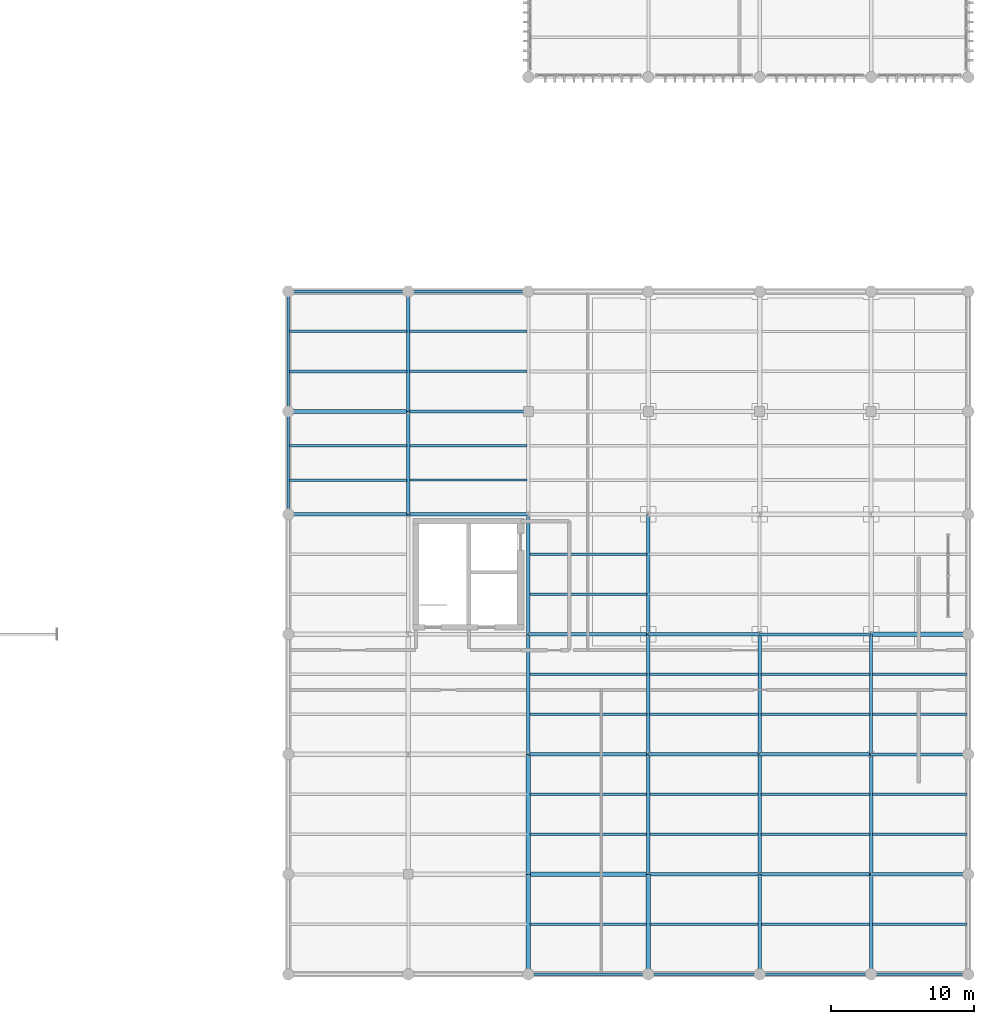
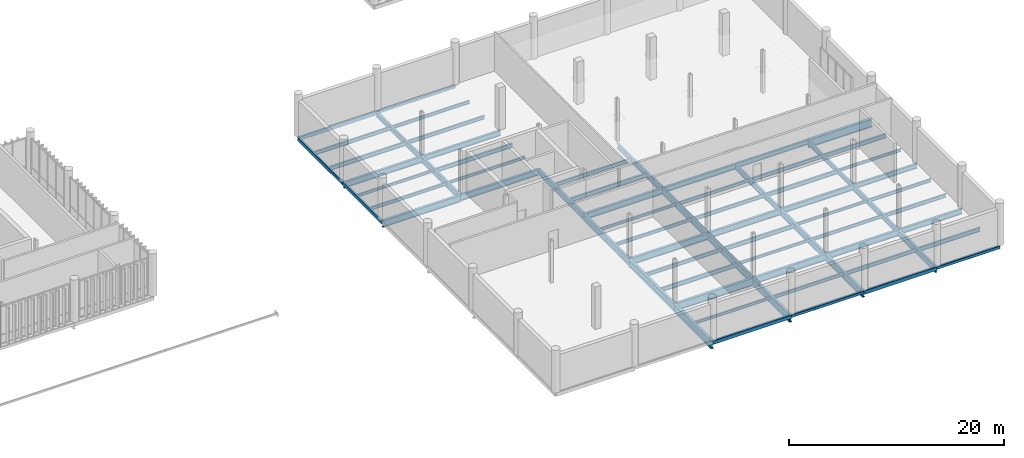
# One storey, part 45 of 94: 70 beams.
"""IFC4 building model written with IfcOpenShell, lengths in metres."""

import ifcopenshell
import ifcopenshell.guid

model = None  # the IFC model being written
_history = None  # IfcOwnerHistory: only IFC2X3 demands one
_inside = {}  # id of a spatial element -> (the spatial element, [elements in it])
_under = {}  # id of a project, library or spatial element -> (it, [spatial elements below it])
_declared = {}  # id of a project -> (the project, [libraries it declares])
_typed = {}  # id of a type object -> (the type object, [elements of that type])
_made_of = {}  # id of a material, layer set ... -> (it, [elements and type objects made of it])


def new_model(schema):
    """Start an empty IFC model of exactly this schema.

    Asked for "IFC4X3", IfcOpenShell would pick the latest addendum, in which some entities
    have other attributes; the version numbers below select the first issue.
    IFC2X3 requires an IfcOwnerHistory on every rooted entity: one is made here for all.
    """
    global model, _history
    if schema == "IFC4X3":
        model = ifcopenshell.file(schema_version=(4, 3, 0, 0))
    else:
        model = ifcopenshell.file(schema=schema)
    _inside.clear()
    _under.clear()
    _declared.clear()
    _typed.clear()
    _made_of.clear()
    _history = None
    if model.schema == "IFC2X3":
        org = make("IfcOrganization", Name="unknown")
        user = make(
            "IfcPersonAndOrganization",
            ThePerson=make("IfcPerson", FamilyName="unknown"),
            TheOrganization=org,
        )
        app = make(
            "IfcApplication",
            ApplicationDeveloper=org,
            Version="unknown",
            ApplicationFullName="unknown",
            ApplicationIdentifier="unknown",
        )
        _history = make(
            "IfcOwnerHistory",
            OwningUser=user,
            OwningApplication=app,
            ChangeAction="ADDED",
            CreationDate=0,
        )
    return model


def make(cls, **values):
    """One entity of the class cls with the attributes given. An attribute that is None is left unset."""
    return model.create_entity(
        cls, **{name: value for name, value in values.items() if value is not None}
    )


def rooted(cls, **values):
    """An entity with a GlobalId (a new one), such as an element, a storey or a relation."""
    return make(cls, GlobalId=ifcopenshell.guid.new(), OwnerHistory=_history, **values)


def si_unit(unit_type, name, prefix=None):
    """IfcSIUnit, for example si_unit("LENGTHUNIT", "METRE", prefix="MILLI")."""
    return make("IfcSIUnit", UnitType=unit_type, Prefix=prefix, Name=name)


def assignment(units):
    """IfcUnitAssignment: the units of a project."""
    return None if units is None else make("IfcUnitAssignment", Units=units)


def point(xyz):
    """IfcCartesianPoint."""
    return None if xyz is None else make("IfcCartesianPoint", Coordinates=xyz)


def direction(xyz):
    """IfcDirection."""
    return None if xyz is None else make("IfcDirection", DirectionRatios=xyz)


def frame(location, z_axis=None, x_axis=None):
    """IfcAxis2Placement3D, a coordinate frame: its origin and axes. An axis left out is left unset."""
    return make(
        "IfcAxis2Placement3D",
        Location=point(location),
        Axis=direction(z_axis),
        RefDirection=direction(x_axis),
    )


def frame_2d(location, x_axis=None):
    """IfcAxis2Placement2D, a coordinate frame in the plane: its origin and x axis."""
    return make(
        "IfcAxis2Placement2D", Location=point(location), RefDirection=direction(x_axis)
    )


def origin_with_axes():
    """The frame at (0, 0, 0) with the z axis (0, 0, 1) and the x axis (1, 0, 0) written out."""
    return frame((0.0, 0.0, 0.0), z_axis=(0.0, 0.0, 1.0), x_axis=(1.0, 0.0, 0.0))


def origin_2d_with_axis():
    """The frame at (0, 0) in the plane with the x axis (1, 0) written out."""
    return frame_2d((0.0, 0.0), x_axis=(1.0, 0.0))


def place(relative_to, where):
    """IfcLocalPlacement: puts the frame where relative to a parent placement (None: the world)."""
    return make(
        "IfcLocalPlacement", PlacementRelTo=relative_to, RelativePlacement=where
    )


def context(
    kind, dimensions, precision=None, world=None, true_north=None, identifier=None
):
    """IfcGeometricRepresentationContext, for example the 3D "Model" context."""
    return make(
        "IfcGeometricRepresentationContext",
        ContextIdentifier=identifier,
        ContextType=kind,
        CoordinateSpaceDimension=dimensions,
        Precision=precision,
        WorldCoordinateSystem=world,
        TrueNorth=true_north,
    )


def subcontext(parent, identifier, kind, view, scale=None):
    """IfcGeometricRepresentationSubContext, for example "Body" below "Model"."""
    return make(
        "IfcGeometricRepresentationSubContext",
        ContextIdentifier=identifier,
        ContextType=kind,
        ParentContext=parent,
        TargetScale=scale,
        TargetView=view,
    )


def project(units=None, contexts=None):
    """IfcProject with its units and contexts."""
    return rooted(
        "IfcProject",
        Name="project",
        RepresentationContexts=contexts,
        UnitsInContext=assignment(units),
    )


def spatial(cls, under=None, at=None, **own):
    """A site, building, storey or space (cls), placed at a placement, below another one or the project."""
    s = rooted(cls, ObjectPlacement=at, **own)
    if under is not None:
        _under.setdefault(under.id(), (under, []))[1].append(s)
    return s


def profile(cls, at=None, kind="AREA", **sizes):
    """A parametric profile (cls). Its sizes go by their IFC names, for example OverallWidth=200.0."""
    return make(cls, ProfileType=kind, Position=at, **sizes)


def hollow_rectangle(**sizes):
    """IfcRectangleHollowProfileDef."""
    return profile("IfcRectangleHollowProfileDef", **sizes)


def i_section(**sizes):
    """IfcIShapeProfileDef."""
    return profile("IfcIShapeProfileDef", **sizes)


def extrude(swept, where, along, depth):
    """IfcExtrudedAreaSolid: the profile swept, set in the frame where, extruded along a direction by depth."""
    return make(
        "IfcExtrudedAreaSolid",
        SweptArea=swept,
        Position=where,
        ExtrudedDirection=direction(along),
        Depth=depth,
    )


def shape(context_of_items, identifier, shape_type, items):
    """IfcShapeRepresentation: the items that make up one representation, for example the "Body"."""
    return make(
        "IfcShapeRepresentation",
        ContextOfItems=context_of_items,
        RepresentationIdentifier=identifier,
        RepresentationType=shape_type,
        Items=items,
    )


def material(Name=None, Category=None):
    """IfcMaterial."""
    return make("IfcMaterial", Name=Name, Category=Category)


def material_profile(
    of_material, cross_section, Name=None, Category=None, Priority=None
):
    """IfcMaterialProfile: a cross section and its material."""
    return make(
        "IfcMaterialProfile",
        Name=Name,
        Material=of_material,
        Profile=cross_section,
        Priority=Priority,
        Category=Category,
    )


def profile_set(profiles, Name=None, composite=None):
    """IfcMaterialProfileSet."""
    return make(
        "IfcMaterialProfileSet",
        Name=Name,
        MaterialProfiles=profiles,
        CompositeProfile=composite,
    )


def made_of(thing, what):
    """Note that an element or type object is made of a material, layer set ...; save() writes the relation."""
    if what is not None:
        _made_of.setdefault(what.id(), (what, []))[1].append(thing)
    return thing


def type_object(cls, material=None, **own):
    """A type object (cls), such as IfcWallType, which elements share."""
    return made_of(rooted(cls, **own), material)


def element(
    cls,
    number,
    at=None,
    inside=None,
    cuts=None,
    type_object=None,
    material=None,
    context=None,
    identifier="Body",
    shape_type=None,
    held_by="IfcProductDefinitionShape",
    body=None,
    shapes=None,
    **own,
):
    """One element of the class cls, such as IfcWall. Its Tag is "e" and its number.

    at: its placement. inside: the storey or other place that contains it. cuts: it is an
    opening in that element (IfcRelVoidsElement). A single representation is given by context,
    identifier, shape_type and body (its items); several are given by shapes. held_by: the class
    of the entity that holds the representations. save() writes the other relations.
    """
    e = rooted(cls, Tag="e%d" % number, ObjectPlacement=at, **own)
    if body is not None:
        shapes = [shape(context, identifier, shape_type, body)]
    if shapes is not None:
        e.Representation = make(held_by, Representations=shapes)
    if inside is not None:
        _inside.setdefault(inside.id(), (inside, []))[1].append(e)
    if cuts is not None:
        rooted(
            "IfcRelVoidsElement", RelatingBuildingElement=cuts, RelatedOpeningElement=e
        )
    if type_object is not None:
        _typed.setdefault(type_object.id(), (type_object, []))[1].append(e)
    return made_of(e, material)


def aggregate(whole, parts):
    """IfcRelAggregates: a whole, such as a stair, and the parts it consists of."""
    return rooted("IfcRelAggregates", RelatingObject=whole, RelatedObjects=parts)


def save(model, path):
    """Write the relations noted so far, then the file.

    IfcRelAggregates (storeys below a building ...), IfcRelContainedInSpatialStructure (elements
    in a storey), IfcRelDefinesByType, IfcRelAssociatesMaterial and IfcRelDeclares: one each for
    every whole, place, type object, material and project.
    """
    for whole, parts in _under.values():
        aggregate(whole, parts)
    for where, things in _inside.values():
        rooted(
            "IfcRelContainedInSpatialStructure",
            RelatedElements=things,
            RelatingStructure=where,
        )
    for kind, things in _typed.values():
        rooted("IfcRelDefinesByType", RelatedObjects=things, RelatingType=kind)
    for what, things in _made_of.values():
        rooted("IfcRelAssociatesMaterial", RelatedObjects=things, RelatingMaterial=what)
    for by, libraries in _declared.values():
        rooted("IfcRelDeclares", RelatingContext=by, RelatedDefinitions=libraries)
    model.write(path)


model = new_model("IFC4")

# Units and contexts
model_context = context("Model", 3, precision=1e-05, world=origin_with_axes(), true_north=direction((0.0, 1.0)))
body_context = subcontext(model_context, "Body", "Model", "MODEL_VIEW")
ifc_project = project(units=[si_unit("LENGTHUNIT", "METRE"), si_unit("AREAUNIT", "SQUARE_METRE"), si_unit("VOLUMEUNIT", "CUBIC_METRE"), si_unit("PLANEANGLEUNIT", "RADIAN"), si_unit("MASSUNIT", "GRAM", prefix="KILO"), si_unit("THERMODYNAMICTEMPERATUREUNIT", "KELVIN")], contexts=[model_context])

# Site, building, storey
site_placement = place(None, origin_with_axes())
site = spatial("IfcSite", under=ifc_project, at=site_placement, CompositionType="ELEMENT")
building_placement = place(site_placement, origin_with_axes())
building = spatial("IfcBuilding", under=site, at=building_placement, Name="Montbau Bow Law Courts", CompositionType="ELEMENT")
storey_placement = place(building_placement, frame((0.0, 0.0, 15.6), z_axis=(0.0, 0.0, 1.0), x_axis=(1.0, 0.0, 0.0)))
storey = spatial("IfcBuildingStorey", under=building, at=storey_placement, Name="L03", CompositionType="ELEMENT", Elevation=15.6)

# Beams
ifc_material_1 = material(Name="Steel CSA G40.21 Grade 350W (350 MPa)", Category="steel")
ifc_material_profile_1 = material_profile(ifc_material_1, i_section(OverallWidth=0.306, OverallDepth=0.919, WebThickness=0.0173, FlangeThickness=0.0279, at=origin_2d_with_axis()), Name="W920X253", Category="Main", Priority=0)
ifc_profile_set_1 = profile_set([ifc_material_profile_1], Name="Steel CSA G40.21 Grade 350W (350 MPa)")
beam_type_1 = type_object("IfcBeamType", Name="B-FLR-01", PredefinedType="BEAM", material=ifc_profile_set_1)
beam_1_placement = place(None, frame((162.6, 30.6, 14.9), z_axis=(1.0, 0.0, 0.0), x_axis=(0.0, 1.0, 0.0)))
element("IfcBeam", 1, at=beam_1_placement, inside=storey, type_object=beam_type_1, Name="BM-L03-S1648:bm2_1651", PredefinedType="BEAM", context=body_context, shape_type="SweptSolid", body=[
    extrude(i_section(OverallWidth=0.306, OverallDepth=0.919, WebThickness=0.0173, FlangeThickness=0.0279, at=origin_2d_with_axis()), origin_with_axes(), (0.0, 0.0, 1.0), 6.8),
])
beam_2_placement = place(None, frame((138.6, 6.8, 14.9), z_axis=(0.0, 1.0, 0.0), x_axis=(-1.0, 0.0, 0.0)))
element("IfcBeam", 2, at=beam_2_placement, inside=storey, type_object=beam_type_1, Name="BM-L03-S1679:bm2_1682", PredefinedType="BEAM", context=body_context, shape_type="SweptSolid", body=[
    extrude(i_section(OverallWidth=0.306, OverallDepth=0.919, WebThickness=0.0173, FlangeThickness=0.0279, at=origin_2d_with_axis()), origin_with_axes(), (0.0, 0.0, 1.0), 7.0),
])
ifc_material_profile_2 = material_profile(ifc_material_1, i_section(OverallWidth=0.293, OverallDepth=0.846, WebThickness=0.0154, FlangeThickness=0.0244, at=origin_2d_with_axis()), Name="W840X210", Category="Main", Priority=0)
ifc_profile_set_2 = profile_set([ifc_material_profile_2], Name="Steel CSA G40.21 Grade 350W (350 MPa)")
beam_type_2 = type_object("IfcBeamType", Name="B-FLR-02", PredefinedType="BEAM", material=ifc_profile_set_2)
for number, where, z_axis, x_axis, name in (
    (3, (138.6, 13.8, 14.937), (1.0, 0.0, 0.0), (0.0, 1.0, 0.0), "BM-L03-S1633:bm2_1636"),
    (4, (138.6, 13.8, 14.937), (0.0, 1.0, 0.0), (-1.0, 0.0, 0.0), "BM-L03-S1680:bm2_1683"),
):
    element("IfcBeam", number, at=place(None, frame(where, z_axis=z_axis, x_axis=x_axis)), inside=storey, type_object=beam_type_2, Name=name, PredefinedType="BEAM", context=body_context, shape_type="SweptSolid", body=[
        extrude(i_section(OverallWidth=0.293, OverallDepth=0.846, WebThickness=0.0154, FlangeThickness=0.0244, at=origin_2d_with_axis()), origin_with_axes(), (0.0, 0.0, 1.0), 8.4),
    ])
beam_3_placement = place(None, frame((147.0, 6.8, 14.937), z_axis=(0.0, 1.0, 0.0), x_axis=(-1.0, 0.0, 0.0)))
element("IfcBeam", 5, at=beam_3_placement, inside=storey, type_object=beam_type_2, Name="BM-L03-S1685:bm2_1688", PredefinedType="BEAM", context=body_context, shape_type="SweptSolid", body=[
    extrude(i_section(OverallWidth=0.293, OverallDepth=0.846, WebThickness=0.0154, FlangeThickness=0.0244, at=origin_2d_with_axis()), origin_with_axes(), (0.0, 0.0, 1.0), 7.0),
])
ifc_material_profile_3 = material_profile(ifc_material_1, i_section(OverallWidth=0.267, OverallDepth=0.766, WebThickness=0.0149, FlangeThickness=0.0236, at=origin_2d_with_axis()), Name="W760X185", Category="Main", Priority=0)
ifc_profile_set_3 = profile_set([ifc_material_profile_3], Name="Steel CSA G40.21 Grade 350W (350 MPa)")
beam_type_3 = type_object("IfcBeamType", Name="B-FLR-03", PredefinedType="BEAM", material=ifc_profile_set_3)
beam_4_placement = place(None, frame((147.0, 13.8, 14.977), z_axis=(1.0, 0.0, 0.0), x_axis=(0.0, 1.0, 0.0)))
element("IfcBeam", 6, at=beam_4_placement, inside=storey, type_object=beam_type_3, Name="BM-L03-S1634:bm2_1637", PredefinedType="BEAM", context=body_context, shape_type="SweptSolid", body=[
    extrude(i_section(OverallWidth=0.267, OverallDepth=0.766, WebThickness=0.0149, FlangeThickness=0.0236, at=origin_2d_with_axis()), origin_with_axes(), (0.0, 0.0, 1.0), 7.8),
])
for number, where, z_axis, x_axis, name in (
    (7, (138.6, 22.2, 14.977), (1.0, 0.0, 0.0), (0.0, 1.0, 0.0), "BM-L03-S1639:bm2_1642"),
    (8, (121.8, 39.0, 14.977), (1.0, 0.0, 0.0), (0.0, 1.0, 0.0), "BM-L03-S1649:bm2_1652"),
    (9, (138.6, 22.2, 14.977), (0.0, 1.0, 0.0), (-1.0, 0.0, 0.0), "BM-L03-S1681:bm2_1684"),
    (10, (147.0, 13.8, 14.977), (0.0, 1.0, 0.0), (-1.0, 0.0, 0.0), "BM-L03-S1686:bm2_1689"),
):
    element("IfcBeam", number, at=place(None, frame(where, z_axis=z_axis, x_axis=x_axis)), inside=storey, type_object=beam_type_3, Name=name, PredefinedType="BEAM", context=body_context, shape_type="SweptSolid", body=[
        extrude(i_section(OverallWidth=0.267, OverallDepth=0.766, WebThickness=0.0149, FlangeThickness=0.0236, at=origin_2d_with_axis()), origin_with_axes(), (0.0, 0.0, 1.0), 8.4),
    ])
beam_5_placement = place(None, frame((154.8, 6.8, 14.977), z_axis=(0.0, 1.0, 0.0), x_axis=(-1.0, 0.0, 0.0)))
element("IfcBeam", 11, at=beam_5_placement, inside=storey, type_object=beam_type_3, Name="BM-L03-S1691:bm2_1694", PredefinedType="BEAM", context=body_context, shape_type="SweptSolid", body=[
    extrude(i_section(OverallWidth=0.267, OverallDepth=0.766, WebThickness=0.0149, FlangeThickness=0.0236, at=origin_2d_with_axis()), origin_with_axes(), (0.0, 0.0, 1.0), 7.0),
])
ifc_material_profile_4 = material_profile(ifc_material_1, i_section(OverallWidth=0.254, OverallDepth=0.688, WebThickness=0.0131, FlangeThickness=0.0211, at=origin_2d_with_axis()), Name="W690X152", Category="Main", Priority=0)
ifc_profile_set_4 = profile_set([ifc_material_profile_4], Name="Steel CSA G40.21 Grade 350W (350 MPa)")
beam_type_4 = type_object("IfcBeamType", Name="B-FLR-04", PredefinedType="BEAM", material=ifc_profile_set_4)
for number, where, z_axis, x_axis, name in (
    (12, (154.8, 13.8, 15.016), (1.0, 0.0, 0.0), (0.0, 1.0, 0.0), "BM-L03-S1635:bm2_1638"),
    (13, (147.0, 22.2, 15.016), (1.0, 0.0, 0.0), (0.0, 1.0, 0.0), "BM-L03-S1640:bm2_1643"),
):
    element("IfcBeam", number, at=place(None, frame(where, z_axis=z_axis, x_axis=x_axis)), inside=storey, type_object=beam_type_4, Name=name, PredefinedType="BEAM", context=body_context, shape_type="SweptSolid", body=[
        extrude(i_section(OverallWidth=0.254, OverallDepth=0.688, WebThickness=0.0131, FlangeThickness=0.0211, at=origin_2d_with_axis()), origin_with_axes(), (0.0, 0.0, 1.0), 7.8),
    ])
for number, where, z_axis, x_axis, name in (
    (14, (138.6, 30.6, 15.016), (1.0, 0.0, 0.0), (0.0, 1.0, 0.0), "BM-L03-S1645:bm2_1648"),
    (15, (130.2, 39.0, 15.016), (1.0, 0.0, 0.0), (0.0, 1.0, 0.0), "BM-L03-S1650:bm2_1653"),
    (16, (121.8, 46.2, 15.016), (1.0, 0.0, 0.0), (0.0, 1.0, 0.0), "BM-L03-S1655:bm2_1658"),
):
    element("IfcBeam", number, at=place(None, frame(where, z_axis=z_axis, x_axis=x_axis)), inside=storey, type_object=beam_type_4, Name=name, PredefinedType="BEAM", context=body_context, shape_type="SweptSolid", body=[
        extrude(i_section(OverallWidth=0.254, OverallDepth=0.688, WebThickness=0.0131, FlangeThickness=0.0211, at=origin_2d_with_axis()), origin_with_axes(), (0.0, 0.0, 1.0), 8.4),
    ])
beam_6_placement = place(None, frame((130.2, 39.0, 15.016), z_axis=(0.0, 1.0, 0.0), x_axis=(-1.0, 0.0, 0.0)))
element("IfcBeam", 17, at=beam_6_placement, inside=storey, type_object=beam_type_4, Name="BM-L03-S1677:bm2_1680", PredefinedType="BEAM", context=body_context, shape_type="SweptSolid", body=[
    extrude(i_section(OverallWidth=0.254, OverallDepth=0.688, WebThickness=0.0131, FlangeThickness=0.0211, at=origin_2d_with_axis()), origin_with_axes(), (0.0, 0.0, 1.0), 7.2),
])
for number, where, z_axis, x_axis, name in (
    (18, (138.6, 30.6, 15.016), (0.0, 1.0, 0.0), (-1.0, 0.0, 0.0), "BM-L03-S1682:bm2_1685"),
    (19, (147.0, 22.2, 15.016), (0.0, 1.0, 0.0), (-1.0, 0.0, 0.0), "BM-L03-S1687:bm2_1690"),
    (20, (154.8, 13.8, 15.016), (0.0, 1.0, 0.0), (-1.0, 0.0, 0.0), "BM-L03-S1692:bm2_1695"),
):
    element("IfcBeam", number, at=place(None, frame(where, z_axis=z_axis, x_axis=x_axis)), inside=storey, type_object=beam_type_4, Name=name, PredefinedType="BEAM", context=body_context, shape_type="SweptSolid", body=[
        extrude(i_section(OverallWidth=0.254, OverallDepth=0.688, WebThickness=0.0131, FlangeThickness=0.0211, at=origin_2d_with_axis()), origin_with_axes(), (0.0, 0.0, 1.0), 8.4),
    ])
beam_7_placement = place(None, frame((162.6, 6.8, 15.016), z_axis=(0.0, 1.0, 0.0), x_axis=(-1.0, 0.0, 0.0)))
element("IfcBeam", 21, at=beam_7_placement, inside=storey, type_object=beam_type_4, Name="BM-L03-S1697:bm2_1700", PredefinedType="BEAM", context=body_context, shape_type="SweptSolid", body=[
    extrude(i_section(OverallWidth=0.254, OverallDepth=0.688, WebThickness=0.0131, FlangeThickness=0.0211, at=origin_2d_with_axis()), origin_with_axes(), (0.0, 0.0, 1.0), 7.0),
])
ifc_material_profile_5 = material_profile(ifc_material_1, i_section(OverallWidth=0.229, OverallDepth=0.612, WebThickness=0.0119, FlangeThickness=0.0196, at=origin_2d_with_axis()), Name="W610X125", Category="Main", Priority=0)
ifc_profile_set_5 = profile_set([ifc_material_profile_5], Name="Steel CSA G40.21 Grade 350W (350 MPa)")
beam_type_5 = type_object("IfcBeamType", Name="B-FLR-05", PredefinedType="BEAM", material=ifc_profile_set_5)
beam_8_placement = place(None, frame((162.6, 13.8, 15.054), z_axis=(1.0, 0.0, 0.0), x_axis=(0.0, 1.0, 0.0)))
element("IfcBeam", 22, at=beam_8_placement, inside=storey, type_object=beam_type_5, Name="BM-L03-S1636:bm2_1639", PredefinedType="BEAM", context=body_context, shape_type="SweptSolid", body=[
    extrude(i_section(OverallWidth=0.229, OverallDepth=0.612, WebThickness=0.0119, FlangeThickness=0.0196, at=origin_2d_with_axis()), origin_with_axes(), (0.0, 0.0, 1.0), 6.8),
])
for number, where, z_axis, x_axis, name in (
    (23, (154.8, 22.2, 15.054), (1.0, 0.0, 0.0), (0.0, 1.0, 0.0), "BM-L03-S1641:bm2_1644"),
    (24, (147.0, 30.6, 15.054), (1.0, 0.0, 0.0), (0.0, 1.0, 0.0), "BM-L03-S1646:bm2_1649"),
):
    element("IfcBeam", number, at=place(None, frame(where, z_axis=z_axis, x_axis=x_axis)), inside=storey, type_object=beam_type_5, Name=name, PredefinedType="BEAM", context=body_context, shape_type="SweptSolid", body=[
        extrude(i_section(OverallWidth=0.229, OverallDepth=0.612, WebThickness=0.0119, FlangeThickness=0.0196, at=origin_2d_with_axis()), origin_with_axes(), (0.0, 0.0, 1.0), 7.8),
    ])
for number, where, z_axis, x_axis, name in (
    (25, (130.2, 46.2, 15.054), (1.0, 0.0, 0.0), (0.0, 1.0, 0.0), "BM-L03-S1656:bm2_1659"),
    (26, (130.2, 46.2, 15.054), (0.0, 1.0, 0.0), (-1.0, 0.0, 0.0), "BM-L03-S1678:bm2_1681"),
    (27, (147.0, 30.6, 15.054), (0.0, 1.0, 0.0), (-1.0, 0.0, 0.0), "BM-L03-S1688:bm2_1691"),
    (28, (154.8, 22.2, 15.054), (0.0, 1.0, 0.0), (-1.0, 0.0, 0.0), "BM-L03-S1693:bm2_1696"),
    (29, (162.6, 13.8, 15.054), (0.0, 1.0, 0.0), (-1.0, 0.0, 0.0), "BM-L03-S1698:bm2_1701"),
):
    element("IfcBeam", number, at=place(None, frame(where, z_axis=z_axis, x_axis=x_axis)), inside=storey, type_object=beam_type_5, Name=name, PredefinedType="BEAM", context=body_context, shape_type="SweptSolid", body=[
        extrude(i_section(OverallWidth=0.229, OverallDepth=0.612, WebThickness=0.0119, FlangeThickness=0.0196, at=origin_2d_with_axis()), origin_with_axes(), (0.0, 0.0, 1.0), 8.4),
    ])
ifc_material_profile_6 = material_profile(ifc_material_1, i_section(OverallWidth=0.21, OverallDepth=0.537, WebThickness=0.0109, FlangeThickness=0.0174, at=origin_2d_with_axis()), Name="W530X101", Category="Main", Priority=0)
ifc_profile_set_6 = profile_set([ifc_material_profile_6], Name="Steel CSA G40.21 Grade 350W (350 MPa)")
beam_type_6 = type_object("IfcBeamType", Name="B-FLR-06", PredefinedType="BEAM", material=ifc_profile_set_6)
beam_9_placement = place(None, frame((162.6, 22.2, 15.091), z_axis=(1.0, 0.0, 0.0), x_axis=(0.0, 1.0, 0.0)))
element("IfcBeam", 30, at=beam_9_placement, inside=storey, type_object=beam_type_6, Name="BM-L03-S1642:bm2_1645", PredefinedType="BEAM", context=body_context, shape_type="SweptSolid", body=[
    extrude(i_section(OverallWidth=0.21, OverallDepth=0.537, WebThickness=0.0109, FlangeThickness=0.0174, at=origin_2d_with_axis()), origin_with_axes(), (0.0, 0.0, 1.0), 6.8),
])
beam_10_placement = place(None, frame((154.8, 30.6, 15.091), z_axis=(1.0, 0.0, 0.0), x_axis=(0.0, 1.0, 0.0)))
element("IfcBeam", 31, at=beam_10_placement, inside=storey, type_object=beam_type_6, Name="BM-L03-S1647:bm2_1650", PredefinedType="BEAM", context=body_context, shape_type="SweptSolid", body=[
    extrude(i_section(OverallWidth=0.21, OverallDepth=0.537, WebThickness=0.0109, FlangeThickness=0.0174, at=origin_2d_with_axis()), origin_with_axes(), (0.0, 0.0, 1.0), 7.8),
])
beam_11_placement = place(None, frame((162.6, 22.2, 15.091), z_axis=(0.0, 1.0, 0.0), x_axis=(-1.0, 0.0, 0.0)))
element("IfcBeam", 32, at=beam_11_placement, inside=storey, type_object=beam_type_6, Name="BM-L03-S1699:bm2_1702", PredefinedType="BEAM", context=body_context, shape_type="SweptSolid", body=[
    extrude(i_section(OverallWidth=0.21, OverallDepth=0.537, WebThickness=0.0109, FlangeThickness=0.0174, at=origin_2d_with_axis()), origin_with_axes(), (0.0, 0.0, 1.0), 8.4),
])
ifc_material_profile_7 = material_profile(ifc_material_1, i_section(OverallWidth=0.191, OverallDepth=0.46, WebThickness=0.0099, FlangeThickness=0.016, at=origin_2d_with_axis()), Name="W460X82", Category="Main", Priority=0)
ifc_profile_set_7 = profile_set([ifc_material_profile_7], Name="Steel CSA G40.21 Grade 350W (350 MPa)")
beam_type_7 = type_object("IfcBeamType", Name="B-JST-01", PredefinedType="JOIST", material=ifc_profile_set_7)
beam_12_placement = place(None, frame((121.88, 49.0, 15.13), z_axis=(1.0, 0.0, 0.0), x_axis=(0.0, 1.0, 0.0)))
element("IfcBeam", 33, at=beam_12_placement, inside=storey, type_object=beam_type_7, Name="JST-L03-S0956:jst2_0956", PredefinedType="JOIST", context=body_context, shape_type="SweptSolid", body=[
    extrude(i_section(OverallWidth=0.191, OverallDepth=0.46, WebThickness=0.0099, FlangeThickness=0.016, at=origin_2d_with_axis()), origin_with_axes(), (0.0, 0.0, 1.0), 8.229),
])
beam_13_placement = place(None, frame((130.303, 43.8, 15.13), z_axis=(1.0, 0.0, 0.0), x_axis=(0.0, 1.0, 0.0)))
element("IfcBeam", 34, at=beam_13_placement, inside=storey, type_object=beam_type_7, Name="JST-L03-S0964:jst2_0964", PredefinedType="JOIST", context=body_context, shape_type="SweptSolid", body=[
    extrude(i_section(OverallWidth=0.191, OverallDepth=0.46, WebThickness=0.0099, FlangeThickness=0.016, at=origin_2d_with_axis()), origin_with_axes(), (0.0, 0.0, 1.0), 8.207),
])
beam_14_placement = place(None, frame((138.722, 16.6, 15.13), z_axis=(1.0, 0.0, 0.0), x_axis=(0.0, 1.0, 0.0)))
element("IfcBeam", 35, at=beam_14_placement, inside=storey, type_object=beam_type_7, Name="JST-L03-S0968:jst2_0968", PredefinedType="JOIST", context=body_context, shape_type="SweptSolid", body=[
    extrude(i_section(OverallWidth=0.191, OverallDepth=0.46, WebThickness=0.0099, FlangeThickness=0.016, at=origin_2d_with_axis()), origin_with_axes(), (0.0, 0.0, 1.0), 8.169),
])
beam_15_placement = place(None, frame((138.703, 33.4, 15.13), z_axis=(1.0, 0.0, 0.0), x_axis=(0.0, 1.0, 0.0)))
element("IfcBeam", 36, at=beam_15_placement, inside=storey, type_object=beam_type_7, Name="JST-L03-S0972:jst2_0972", PredefinedType="JOIST", context=body_context, shape_type="SweptSolid", body=[
    extrude(i_section(OverallWidth=0.191, OverallDepth=0.46, WebThickness=0.0099, FlangeThickness=0.016, at=origin_2d_with_axis()), origin_with_axes(), (0.0, 0.0, 1.0), 8.207),
])
beam_16_placement = place(None, frame((147.109, 19.4, 15.13), z_axis=(1.0, 0.0, 0.0), x_axis=(0.0, 1.0, 0.0)))
element("IfcBeam", 37, at=beam_16_placement, inside=storey, type_object=beam_type_7, Name="JST-L03-S0980:jst2_0980", PredefinedType="JOIST", context=body_context, shape_type="SweptSolid", body=[
    extrude(i_section(OverallWidth=0.191, OverallDepth=0.46, WebThickness=0.0099, FlangeThickness=0.016, at=origin_2d_with_axis()), origin_with_axes(), (0.0, 0.0, 1.0), 7.588),
])
beam_17_placement = place(None, frame((154.891, 25.0, 15.13), z_axis=(1.0, 0.0, 0.0), x_axis=(0.0, 1.0, 0.0)))
element("IfcBeam", 38, at=beam_17_placement, inside=storey, type_object=beam_type_7, Name="JST-L03-S0992:jst2_0992", PredefinedType="JOIST", context=body_context, shape_type="SweptSolid", body=[
    extrude(i_section(OverallWidth=0.191, OverallDepth=0.46, WebThickness=0.0099, FlangeThickness=0.016, at=origin_2d_with_axis()), origin_with_axes(), (0.0, 0.0, 1.0), 7.628),
])
beam_18_placement = place(None, frame((162.703, 10.3, 15.13), z_axis=(1.0, 0.0, 0.0), x_axis=(0.0, 1.0, 0.0)))
element("IfcBeam", 39, at=beam_18_placement, inside=storey, type_object=beam_type_7, Name="JST-L03-S1000:jst2_1000", PredefinedType="JOIST", context=body_context, shape_type="SweptSolid", body=[
    extrude(i_section(OverallWidth=0.191, OverallDepth=0.46, WebThickness=0.0099, FlangeThickness=0.016, at=origin_2d_with_axis()), origin_with_axes(), (0.0, 0.0, 1.0), 6.617),
])
beam_19_placement = place(None, frame((162.681, 27.8, 15.13), z_axis=(1.0, 0.0, 0.0), x_axis=(0.0, 1.0, 0.0)))
element("IfcBeam", 40, at=beam_19_placement, inside=storey, type_object=beam_type_7, Name="JST-L03-S1004:jst2_1004", PredefinedType="JOIST", context=body_context, shape_type="SweptSolid", body=[
    extrude(i_section(OverallWidth=0.191, OverallDepth=0.46, WebThickness=0.0099, FlangeThickness=0.016, at=origin_2d_with_axis()), origin_with_axes(), (0.0, 0.0, 1.0), 6.639),
])
ifc_material_profile_8 = material_profile(ifc_material_1, i_section(OverallWidth=0.179, OverallDepth=0.41, WebThickness=0.0088, FlangeThickness=0.0144, at=origin_2d_with_axis()), Name="W410X67", Category="Main", Priority=0)
ifc_profile_set_8 = profile_set([ifc_material_profile_8], Name="Steel CSA G40.21 Grade 350W (350 MPa)")
beam_type_8 = type_object("IfcBeamType", Name="B-JST-02", PredefinedType="JOIST", material=ifc_profile_set_8)
for number, where, z_axis, x_axis, name in (
    (41, (121.88, 51.8, 15.155), (1.0, 0.0, 0.0), (0.0, 1.0, 0.0), "JST-L03-S0957:jst2_0957"),
    (42, (130.29, 49.0, 15.155), (1.0, 0.0, 0.0), (0.0, 1.0, 0.0), "JST-L03-S0965:jst2_0965"),
):
    element("IfcBeam", number, at=place(None, frame(where, z_axis=z_axis, x_axis=x_axis)), inside=storey, type_object=beam_type_8, Name=name, PredefinedType="JOIST", context=body_context, shape_type="SweptSolid", body=[
        extrude(i_section(OverallWidth=0.179, OverallDepth=0.41, WebThickness=0.0088, FlangeThickness=0.0144, at=origin_2d_with_axis()), origin_with_axes(), (0.0, 0.0, 1.0), 8.229),
    ])
beam_20_placement = place(None, frame((138.722, 19.4, 15.155), z_axis=(1.0, 0.0, 0.0), x_axis=(0.0, 1.0, 0.0)))
element("IfcBeam", 43, at=beam_20_placement, inside=storey, type_object=beam_type_8, Name="JST-L03-S0969:jst2_0969", PredefinedType="JOIST", context=body_context, shape_type="SweptSolid", body=[
    extrude(i_section(OverallWidth=0.179, OverallDepth=0.41, WebThickness=0.0088, FlangeThickness=0.0144, at=origin_2d_with_axis()), origin_with_axes(), (0.0, 0.0, 1.0), 8.169),
])
beam_21_placement = place(None, frame((138.703, 36.2, 15.155), z_axis=(1.0, 0.0, 0.0), x_axis=(0.0, 1.0, 0.0)))
element("IfcBeam", 44, at=beam_21_placement, inside=storey, type_object=beam_type_8, Name="JST-L03-S0973:jst2_0973", PredefinedType="JOIST", context=body_context, shape_type="SweptSolid", body=[
    extrude(i_section(OverallWidth=0.179, OverallDepth=0.41, WebThickness=0.0088, FlangeThickness=0.0144, at=origin_2d_with_axis()), origin_with_axes(), (0.0, 0.0, 1.0), 8.207),
])
beam_22_placement = place(None, frame((147.103, 25.0, 15.155), z_axis=(1.0, 0.0, 0.0), x_axis=(0.0, 1.0, 0.0)))
element("IfcBeam", 45, at=beam_22_placement, inside=storey, type_object=beam_type_8, Name="JST-L03-S0981:jst2_0981", PredefinedType="JOIST", context=body_context, shape_type="SweptSolid", body=[
    extrude(i_section(OverallWidth=0.179, OverallDepth=0.41, WebThickness=0.0088, FlangeThickness=0.0144, at=origin_2d_with_axis()), origin_with_axes(), (0.0, 0.0, 1.0), 7.607),
])
beam_23_placement = place(None, frame((154.91, 10.3, 15.155), z_axis=(1.0, 0.0, 0.0), x_axis=(0.0, 1.0, 0.0)))
element("IfcBeam", 46, at=beam_23_placement, inside=storey, type_object=beam_type_8, Name="JST-L03-S0989:jst2_0989", PredefinedType="JOIST", context=body_context, shape_type="SweptSolid", body=[
    extrude(i_section(OverallWidth=0.179, OverallDepth=0.41, WebThickness=0.0088, FlangeThickness=0.0144, at=origin_2d_with_axis()), origin_with_axes(), (0.0, 0.0, 1.0), 7.587),
])
beam_24_placement = place(None, frame((154.891, 27.8, 15.155), z_axis=(1.0, 0.0, 0.0), x_axis=(0.0, 1.0, 0.0)))
element("IfcBeam", 47, at=beam_24_placement, inside=storey, type_object=beam_type_8, Name="JST-L03-S0993:jst2_0993", PredefinedType="JOIST", context=body_context, shape_type="SweptSolid", body=[
    extrude(i_section(OverallWidth=0.179, OverallDepth=0.41, WebThickness=0.0088, FlangeThickness=0.0144, at=origin_2d_with_axis()), origin_with_axes(), (0.0, 0.0, 1.0), 7.628),
])
beam_25_placement = place(None, frame((162.69, 16.6, 15.155), z_axis=(1.0, 0.0, 0.0), x_axis=(0.0, 1.0, 0.0)))
element("IfcBeam", 48, at=beam_25_placement, inside=storey, type_object=beam_type_8, Name="JST-L03-S1001:jst2_1001", PredefinedType="JOIST", context=body_context, shape_type="SweptSolid", body=[
    extrude(i_section(OverallWidth=0.179, OverallDepth=0.41, WebThickness=0.0088, FlangeThickness=0.0144, at=origin_2d_with_axis()), origin_with_axes(), (0.0, 0.0, 1.0), 6.63),
])
ifc_material_profile_9 = material_profile(ifc_material_1, i_section(OverallWidth=0.172, OverallDepth=0.358, WebThickness=0.0079, FlangeThickness=0.0131, at=origin_2d_with_axis()), Name="W360X57", Category="Main", Priority=0)
ifc_profile_set_9 = profile_set([ifc_material_profile_9], Name="Steel CSA G40.21 Grade 350W (350 MPa)")
beam_type_9 = type_object("IfcBeamType", Name="B-JST-03", PredefinedType="JOIST", material=ifc_profile_set_9)
beam_26_placement = place(None, frame((121.88, 41.4, 15.181), z_axis=(1.0, 0.0, 0.0), x_axis=(0.0, 1.0, 0.0)))
element("IfcBeam", 49, at=beam_26_placement, inside=storey, type_object=beam_type_9, Name="JST-L03-S0954:jst2_0954", PredefinedType="JOIST", context=body_context, shape_type="SweptSolid", body=[
    extrude(i_section(OverallWidth=0.172, OverallDepth=0.358, WebThickness=0.0079, FlangeThickness=0.0131, at=origin_2d_with_axis()), origin_with_axes(), (0.0, 0.0, 1.0), 8.217),
])
beam_27_placement = place(None, frame((130.29, 51.8, 15.181), z_axis=(1.0, 0.0, 0.0), x_axis=(0.0, 1.0, 0.0)))
element("IfcBeam", 50, at=beam_27_placement, inside=storey, type_object=beam_type_9, Name="JST-L03-S0966:jst2_0966", PredefinedType="JOIST", context=body_context, shape_type="SweptSolid", body=[
    extrude(i_section(OverallWidth=0.172, OverallDepth=0.358, WebThickness=0.0079, FlangeThickness=0.0131, at=origin_2d_with_axis()), origin_with_axes(), (0.0, 0.0, 1.0), 8.229),
])
beam_28_placement = place(None, frame((138.709, 25.0, 15.181), z_axis=(1.0, 0.0, 0.0), x_axis=(0.0, 1.0, 0.0)))
element("IfcBeam", 51, at=beam_28_placement, inside=storey, type_object=beam_type_9, Name="JST-L03-S0970:jst2_0970", PredefinedType="JOIST", context=body_context, shape_type="SweptSolid", body=[
    extrude(i_section(OverallWidth=0.172, OverallDepth=0.358, WebThickness=0.0079, FlangeThickness=0.0131, at=origin_2d_with_axis()), origin_with_axes(), (0.0, 0.0, 1.0), 8.188),
])
beam_29_placement = place(None, frame((147.123, 10.3, 15.181), z_axis=(1.0, 0.0, 0.0), x_axis=(0.0, 1.0, 0.0)))
element("IfcBeam", 52, at=beam_29_placement, inside=storey, type_object=beam_type_9, Name="JST-L03-S0978:jst2_0978", PredefinedType="JOIST", context=body_context, shape_type="SweptSolid", body=[
    extrude(i_section(OverallWidth=0.172, OverallDepth=0.358, WebThickness=0.0079, FlangeThickness=0.0131, at=origin_2d_with_axis()), origin_with_axes(), (0.0, 0.0, 1.0), 7.568),
])
for number, where, z_axis, x_axis, name in (
    (53, (147.103, 27.8, 15.181), (1.0, 0.0, 0.0), (0.0, 1.0, 0.0), "JST-L03-S0982:jst2_0982"),
    (54, (154.903, 16.6, 15.181), (1.0, 0.0, 0.0), (0.0, 1.0, 0.0), "JST-L03-S0990:jst2_0990"),
):
    element("IfcBeam", number, at=place(None, frame(where, z_axis=z_axis, x_axis=x_axis)), inside=storey, type_object=beam_type_9, Name=name, PredefinedType="JOIST", context=body_context, shape_type="SweptSolid", body=[
        extrude(i_section(OverallWidth=0.172, OverallDepth=0.358, WebThickness=0.0079, FlangeThickness=0.0131, at=origin_2d_with_axis()), origin_with_axes(), (0.0, 0.0, 1.0), 7.607),
    ])
beam_30_placement = place(None, frame((162.69, 19.4, 15.181), z_axis=(1.0, 0.0, 0.0), x_axis=(0.0, 1.0, 0.0)))
element("IfcBeam", 55, at=beam_30_placement, inside=storey, type_object=beam_type_9, Name="JST-L03-S1002:jst2_1002", PredefinedType="JOIST", context=body_context, shape_type="SweptSolid", body=[
    extrude(i_section(OverallWidth=0.172, OverallDepth=0.358, WebThickness=0.0079, FlangeThickness=0.0131, at=origin_2d_with_axis()), origin_with_axes(), (0.0, 0.0, 1.0), 6.63),
])
ifc_material_profile_10 = material_profile(ifc_material_1, i_section(OverallWidth=0.166, OverallDepth=0.313, WebThickness=0.0066, FlangeThickness=0.0112, at=origin_2d_with_axis()), Name="W310X45", Category="Main", Priority=0)
ifc_profile_set_10 = profile_set([ifc_material_profile_10], Name="Steel CSA G40.21 Grade 350W (350 MPa)")
beam_type_10 = type_object("IfcBeamType", Name="B-JST-04", PredefinedType="JOIST", material=ifc_profile_set_10)
beam_31_placement = place(None, frame((121.88, 43.8, 15.204), z_axis=(1.0, 0.0, 0.0), x_axis=(0.0, 1.0, 0.0)))
element("IfcBeam", 56, at=beam_31_placement, inside=storey, type_object=beam_type_10, Name="JST-L03-S0955:jst2_0955", PredefinedType="JOIST", context=body_context, shape_type="SweptSolid", body=[
    extrude(i_section(OverallWidth=0.166, OverallDepth=0.313, WebThickness=0.0066, FlangeThickness=0.0112, at=origin_2d_with_axis()), origin_with_axes(), (0.0, 0.0, 1.0), 8.217),
])
beam_32_placement = place(None, frame((130.303, 41.4, 15.204), z_axis=(1.0, 0.0, 0.0), x_axis=(0.0, 1.0, 0.0)))
element("IfcBeam", 57, at=beam_32_placement, inside=storey, type_object=beam_type_10, Name="JST-L03-S0963:jst2_0963", PredefinedType="JOIST", context=body_context, shape_type="SweptSolid", body=[
    extrude(i_section(OverallWidth=0.166, OverallDepth=0.313, WebThickness=0.0066, FlangeThickness=0.0112, at=origin_2d_with_axis()), origin_with_axes(), (0.0, 0.0, 1.0), 8.207),
])
beam_33_placement = place(None, frame((138.729, 10.3, 15.204), z_axis=(1.0, 0.0, 0.0), x_axis=(0.0, 1.0, 0.0)))
element("IfcBeam", 58, at=beam_33_placement, inside=storey, type_object=beam_type_10, Name="JST-L03-S0967:jst2_0967", PredefinedType="JOIST", context=body_context, shape_type="SweptSolid", body=[
    extrude(i_section(OverallWidth=0.166, OverallDepth=0.313, WebThickness=0.0066, FlangeThickness=0.0112, at=origin_2d_with_axis()), origin_with_axes(), (0.0, 0.0, 1.0), 8.148),
])
beam_34_placement = place(None, frame((138.709, 27.8, 15.204), z_axis=(1.0, 0.0, 0.0), x_axis=(0.0, 1.0, 0.0)))
element("IfcBeam", 59, at=beam_34_placement, inside=storey, type_object=beam_type_10, Name="JST-L03-S0971:jst2_0971", PredefinedType="JOIST", context=body_context, shape_type="SweptSolid", body=[
    extrude(i_section(OverallWidth=0.166, OverallDepth=0.313, WebThickness=0.0066, FlangeThickness=0.0112, at=origin_2d_with_axis()), origin_with_axes(), (0.0, 0.0, 1.0), 8.188),
])
beam_35_placement = place(None, frame((147.109, 16.6, 15.204), z_axis=(1.0, 0.0, 0.0), x_axis=(0.0, 1.0, 0.0)))
element("IfcBeam", 60, at=beam_35_placement, inside=storey, type_object=beam_type_10, Name="JST-L03-S0979:jst2_0979", PredefinedType="JOIST", context=body_context, shape_type="SweptSolid", body=[
    extrude(i_section(OverallWidth=0.166, OverallDepth=0.313, WebThickness=0.0066, FlangeThickness=0.0112, at=origin_2d_with_axis()), origin_with_axes(), (0.0, 0.0, 1.0), 7.588),
])
beam_36_placement = place(None, frame((154.903, 19.4, 15.204), z_axis=(1.0, 0.0, 0.0), x_axis=(0.0, 1.0, 0.0)))
element("IfcBeam", 61, at=beam_36_placement, inside=storey, type_object=beam_type_10, Name="JST-L03-S0991:jst2_0991", PredefinedType="JOIST", context=body_context, shape_type="SweptSolid", body=[
    extrude(i_section(OverallWidth=0.166, OverallDepth=0.313, WebThickness=0.0066, FlangeThickness=0.0112, at=origin_2d_with_axis()), origin_with_axes(), (0.0, 0.0, 1.0), 7.607),
])
beam_37_placement = place(None, frame((162.681, 25.0, 15.204), z_axis=(1.0, 0.0, 0.0), x_axis=(0.0, 1.0, 0.0)))
element("IfcBeam", 62, at=beam_37_placement, inside=storey, type_object=beam_type_10, Name="JST-L03-S1003:jst2_1003", PredefinedType="JOIST", context=body_context, shape_type="SweptSolid", body=[
    extrude(i_section(OverallWidth=0.166, OverallDepth=0.313, WebThickness=0.0066, FlangeThickness=0.0112, at=origin_2d_with_axis()), origin_with_axes(), (0.0, 0.0, 1.0), 6.639),
])
ifc_material_2 = material(Name="Steel CSA G40.21 Grade 350WT (350 MPa)", Category="steel")
ifc_material_profile_11 = material_profile(ifc_material_2, hollow_rectangle(XDim=0.203, YDim=0.406, WallThickness=0.0127, InnerFilletRadius=0.0254, OuterFilletRadius=0.0127, at=origin_2d_with_axis()), Name="HSS406X203X13", Category="Main", Priority=0)
ifc_profile_set_11 = profile_set([ifc_material_profile_11], Name="Steel CSA G40.21 Grade 350WT (350 MPa)")
beam_type_11 = type_object("IfcBeamType", Name="B-SPN-01", PredefinedType="SPANDREL", material=ifc_profile_set_11)
beam_38_placement = place(None, frame((138.6, 6.8, 15.157), z_axis=(1.0, 0.0, 0.0), x_axis=(0.0, 1.0, 0.0)))
element("IfcBeam", 63, at=beam_38_placement, inside=storey, type_object=beam_type_11, Name="SPN-L03-S1627:bm2_1630", PredefinedType="SPANDREL", context=body_context, shape_type="SweptSolid", body=[
    extrude(hollow_rectangle(XDim=0.203, YDim=0.406, WallThickness=0.0127, InnerFilletRadius=0.0254, OuterFilletRadius=0.0127, at=origin_2d_with_axis()), origin_with_axes(), (0.0, 0.0, 1.0), 8.4),
])
beam_39_placement = place(None, frame((154.8, 6.8, 15.157), z_axis=(1.0, 0.0, 0.0), x_axis=(0.0, 1.0, 0.0)))
element("IfcBeam", 64, at=beam_39_placement, inside=storey, type_object=beam_type_11, Name="SPN-L03-S1629:bm2_1632", PredefinedType="SPANDREL", context=body_context, shape_type="SweptSolid", body=[
    extrude(hollow_rectangle(XDim=0.203, YDim=0.406, WallThickness=0.0127, InnerFilletRadius=0.0254, OuterFilletRadius=0.0127, at=origin_2d_with_axis()), origin_with_axes(), (0.0, 0.0, 1.0), 7.8),
])
beam_40_placement = place(None, frame((121.8, 54.6, 15.157), z_axis=(1.0, 0.0, 0.0), x_axis=(0.0, 1.0, 0.0)))
element("IfcBeam", 65, at=beam_40_placement, inside=storey, type_object=beam_type_11, Name="SPN-L03-S1661:bm2_1664", PredefinedType="SPANDREL", context=body_context, shape_type="SweptSolid", body=[
    extrude(hollow_rectangle(XDim=0.203, YDim=0.406, WallThickness=0.0127, InnerFilletRadius=0.0254, OuterFilletRadius=0.0127, at=origin_2d_with_axis()), origin_with_axes(), (0.0, 0.0, 1.0), 8.4),
])
beam_41_placement = place(None, frame((121.8, 39.0, 15.157), z_axis=(0.0, 1.0, 0.0), x_axis=(-1.0, 0.0, 0.0)))
element("IfcBeam", 66, at=beam_41_placement, inside=storey, type_object=beam_type_11, Name="SPN-L03-S1671:bm2_1674", PredefinedType="SPANDREL", context=body_context, shape_type="SweptSolid", body=[
    extrude(hollow_rectangle(XDim=0.203, YDim=0.406, WallThickness=0.0127, InnerFilletRadius=0.0254, OuterFilletRadius=0.0127, at=origin_2d_with_axis()), origin_with_axes(), (0.0, 0.0, 1.0), 7.2),
])
beam_42_placement = place(None, frame((121.8, 46.2, 15.157), z_axis=(0.0, 1.0, 0.0), x_axis=(-1.0, 0.0, 0.0)))
element("IfcBeam", 67, at=beam_42_placement, inside=storey, type_object=beam_type_11, Name="SPN-L03-S1672:bm2_1675", PredefinedType="SPANDREL", context=body_context, shape_type="SweptSolid", body=[
    extrude(hollow_rectangle(XDim=0.203, YDim=0.406, WallThickness=0.0127, InnerFilletRadius=0.0254, OuterFilletRadius=0.0127, at=origin_2d_with_axis()), origin_with_axes(), (0.0, 0.0, 1.0), 8.4),
])
ifc_material_profile_12 = material_profile(ifc_material_2, hollow_rectangle(XDim=0.203, YDim=0.305, WallThickness=0.0127, InnerFilletRadius=0.0254, OuterFilletRadius=0.0127, at=origin_2d_with_axis()), Name="HSS305X203X13", Category="Main", Priority=0)
ifc_profile_set_12 = profile_set([ifc_material_profile_12], Name="Steel CSA G40.21 Grade 350WT (350 MPa)")
beam_type_12 = type_object("IfcBeamType", Name="B-SPN-02", PredefinedType="SPANDREL", material=ifc_profile_set_12)
beam_43_placement = place(None, frame((147.0, 6.8, 15.207), z_axis=(1.0, 0.0, 0.0), x_axis=(0.0, 1.0, 0.0)))
element("IfcBeam", 68, at=beam_43_placement, inside=storey, type_object=beam_type_12, Name="SPN-L03-S1628:bm2_1631", PredefinedType="SPANDREL", context=body_context, shape_type="SweptSolid", body=[
    extrude(hollow_rectangle(XDim=0.203, YDim=0.305, WallThickness=0.0127, InnerFilletRadius=0.0254, OuterFilletRadius=0.0127, at=origin_2d_with_axis()), origin_with_axes(), (0.0, 0.0, 1.0), 7.8),
])
beam_44_placement = place(None, frame((162.6, 6.8, 15.207), z_axis=(1.0, 0.0, 0.0), x_axis=(0.0, 1.0, 0.0)))
element("IfcBeam", 69, at=beam_44_placement, inside=storey, type_object=beam_type_12, Name="SPN-L03-S1630:bm2_1633", PredefinedType="SPANDREL", context=body_context, shape_type="SweptSolid", body=[
    extrude(hollow_rectangle(XDim=0.203, YDim=0.305, WallThickness=0.0127, InnerFilletRadius=0.0254, OuterFilletRadius=0.0127, at=origin_2d_with_axis()), origin_with_axes(), (0.0, 0.0, 1.0), 6.8),
])
beam_45_placement = place(None, frame((130.2, 54.6, 15.207), z_axis=(1.0, 0.0, 0.0), x_axis=(0.0, 1.0, 0.0)))
element("IfcBeam", 70, at=beam_45_placement, inside=storey, type_object=beam_type_12, Name="SPN-L03-S1662:bm2_1665", PredefinedType="SPANDREL", context=body_context, shape_type="SweptSolid", body=[
    extrude(hollow_rectangle(XDim=0.203, YDim=0.305, WallThickness=0.0127, InnerFilletRadius=0.0254, OuterFilletRadius=0.0127, at=origin_2d_with_axis()), origin_with_axes(), (0.0, 0.0, 1.0), 8.4),
])

save(model, "model.ifc")
